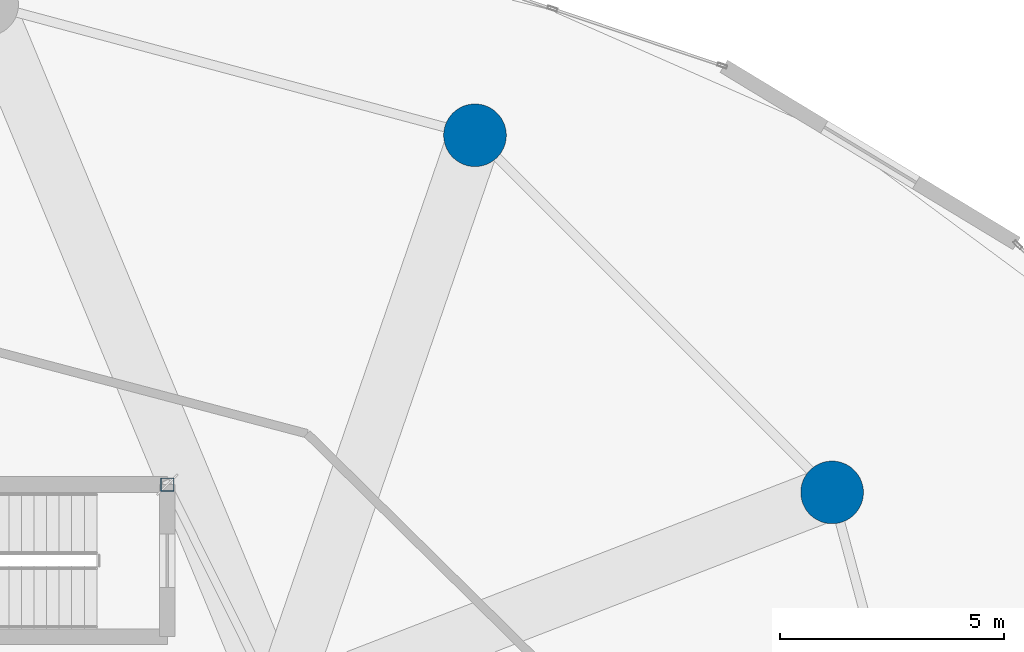
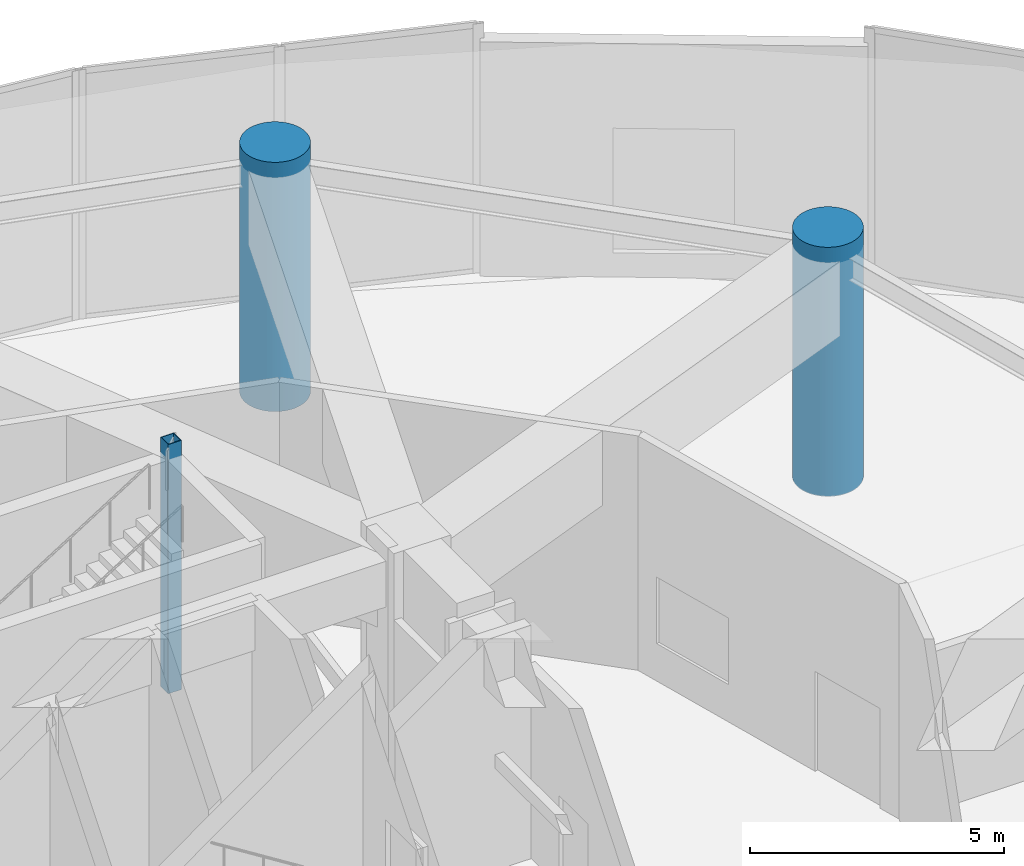
# One storey, part 3 of 28: 3 columns.
"""IFC4 building model written with IfcOpenShell, lengths in metres."""

from ifc_helpers import new_model, si_unit, direction, frame, origin, origin_2d, place, context, subcontext, project, spatial, hollow_rectangle, circle, extrude, material, material_profile, profile_set, type_object, element, save


model = new_model("IFC4")

# Units and contexts
model_context = context("Model", 3, precision=1e-05, world=origin(), true_north=direction((0.0, 1.0)))
body_context = subcontext(model_context, "Body", "Model", "MODEL_VIEW")
ifc_project = project(units=[si_unit("LENGTHUNIT", "METRE"), si_unit("AREAUNIT", "SQUARE_METRE"), si_unit("VOLUMEUNIT", "CUBIC_METRE"), si_unit("PLANEANGLEUNIT", "RADIAN"), si_unit("MASSUNIT", "GRAM", prefix="KILO")], contexts=[model_context])

# Site, building, storey
site_placement = place(None, origin())
site = spatial("IfcSite", under=ifc_project, at=site_placement, CompositionType="ELEMENT")
building_placement = place(site_placement, origin())
building = spatial("IfcBuilding", under=site, at=building_placement, Name="Solvirekh Grand Hotel", CompositionType="ELEMENT")
storey_placement = place(building_placement, frame((0.0, 0.0, 12.60009765625)))
storey = spatial("IfcBuildingStorey", under=building, at=storey_placement, Name="L02", CompositionType="ELEMENT", Elevation=12.60009765625)

# Columns
ifc_material_1 = material(Name="Concrete C60/75", Category="concrete")
ifc_material_profile_1 = material_profile(ifc_material_1, circle(Radius=0.699951171875, at=origin_2d()), Name="RC CIRC D1400")
ifc_profile_set_1 = profile_set([ifc_material_profile_1], Name="Concrete C60/75")
column_type_1 = type_object("IfcColumnType", Name="Col_Base_D1400", PredefinedType="COLUMN", material=ifc_profile_set_1)
for number, where, z_axis, x_axis, name in (
    (1, (18.87890625, 10.89990234375, 0.0), (0.0, 0.0, 1.0), (1.0, 0.0, 0.0), "L02 perimeter column P02"),
    (2, (10.89990234375, 18.87890625, 0.0), (0.0, 0.0, 1.0), (1.0, 0.0, 0.0), "L02 perimeter column P03"),
):
    element("IfcColumn", number, at=place(storey_placement, frame(where, z_axis=z_axis, x_axis=x_axis)), inside=storey, type_object=column_type_1, Name=name, PredefinedType="COLUMN", context=body_context, shape_type="SweptSolid", body=[
        extrude(circle(Radius=0.699951171875, at=origin_2d()), origin(), (0.0, 0.0, 1.0), 6.0),
    ])
ifc_material_2 = material(Name="Steel S355", Category="steel")
ifc_material_profile_2 = material_profile(ifc_material_2, hollow_rectangle(XDim=0.300048828125, YDim=0.300048828125, WallThickness=0.01611328125, at=origin_2d()), Name="SHS 300X300X16")
ifc_profile_set_2 = profile_set([ifc_material_profile_2], Name="Steel S355")
column_type_2 = type_object("IfcColumnType", Name="Col_Pod_SHS300", PredefinedType="COLUMN", material=ifc_profile_set_2)
column_placement = place(storey_placement, frame((4.02490234375, 11.074951171875, 0.0), z_axis=(0.0, 0.0, 1.0), x_axis=(1.0, 0.0, 0.0)))
element("IfcColumn", 3, at=column_placement, inside=storey, type_object=column_type_2, Name="L02 podium stair enclosure post 2", PredefinedType="COLUMN", context=body_context, shape_type="SweptSolid", body=[
    extrude(hollow_rectangle(XDim=0.300048828125, YDim=0.300048828125, WallThickness=0.01611328125, at=origin_2d()), origin(), (0.0, 0.0, 1.0), 6.0),
])

save(model, "model.ifc")
